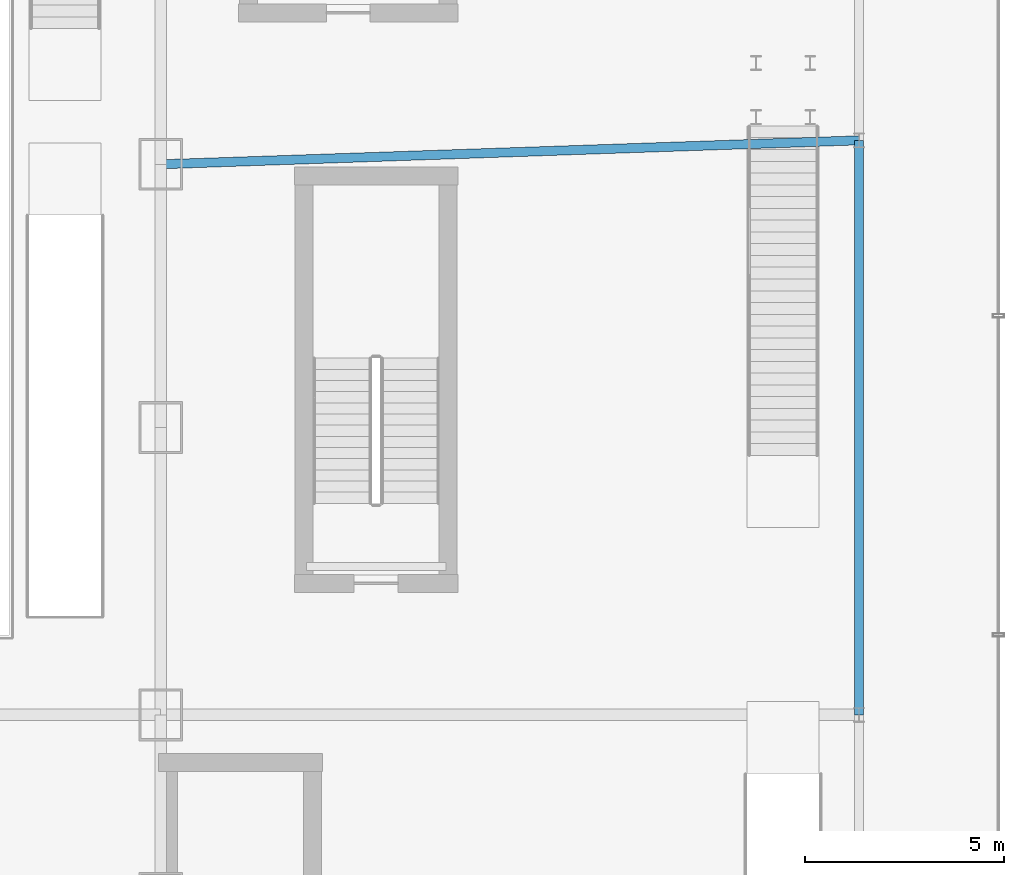
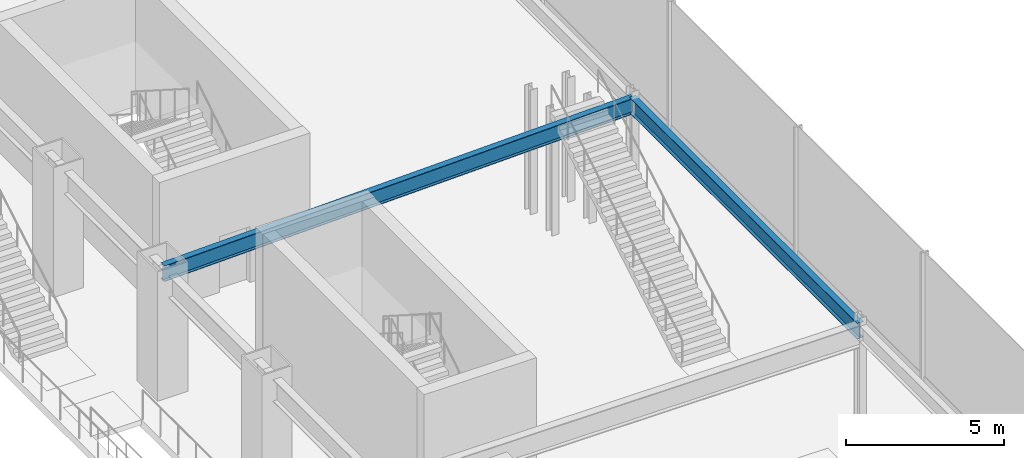
# One storey, part 22 of 40: 2 beams.
"""IFC4 building model written with IfcOpenShell, lengths in metres."""

from ifc_helpers import new_model, si_unit, derived_unit, direction, frame, origin, origin_2d, place, context, subcontext, project, spatial, i_section, extrude, source, transform, mapped, material, material_profile, profile_set, type_object, element, save


model = new_model("IFC4")

# Units and contexts
model_context = context("Model", 3, precision=1e-05, world=origin(), true_north=direction((0.0, 1.0)))
body_context = subcontext(model_context, "Body", "Model", "MODEL_VIEW")
ifc_project = project(units=[si_unit("LENGTHUNIT", "METRE"), si_unit("AREAUNIT", "SQUARE_METRE"), si_unit("VOLUMEUNIT", "CUBIC_METRE"), si_unit("PLANEANGLEUNIT", "RADIAN"), si_unit("MASSUNIT", "GRAM", prefix="KILO"), derived_unit("THERMALTRANSMITTANCEUNIT", [(si_unit("POWERUNIT", "WATT"), 1), (si_unit("LENGTHUNIT", "METRE"), -2), (si_unit("THERMODYNAMICTEMPERATUREUNIT", "KELVIN"), -1)])], contexts=[model_context])

# Site, building, storey
site_placement = place(None, origin())
site = spatial("IfcSite", under=ifc_project, at=site_placement, CompositionType="ELEMENT")
building_placement = place(site_placement, origin())
building = spatial("IfcBuilding", under=site, at=building_placement, Name="Skarnbrae Concourse Arena and Tower", CompositionType="ELEMENT")
storey_placement = place(building_placement, frame((0.0, 0.0, 6.0)))
storey = spatial("IfcBuildingStorey", under=building, at=storey_placement, Name="L01", CompositionType="ELEMENT", Elevation=6.0)

# Beams
ifc_material = material(Name="Steel CSA G40.21 350W", Category="steel")
ifc_material_profile = material_profile(ifc_material, i_section(OverallWidth=0.22802734375, OverallDepth=0.60791015625, WebThickness=0.01123046875, FlangeThickness=0.017333984375, at=origin_2d()), Name="W610X113")
ifc_profile_set = profile_set([ifc_material_profile], Name="Steel CSA G40.21 350W")
beam_type = type_object("IfcBeamType", Name="BM-GIRD-W610X113", PredefinedType="BEAM", material=ifc_profile_set)
shared_shape_1 = source(origin(), body_context, "Body", "SweptSolid", [
    extrude(i_section(OverallWidth=0.22802734375, OverallDepth=0.60791015625, WebThickness=0.01123046875, FlangeThickness=0.017333984375, at=origin_2d()), origin(), (0.0, 0.0, 1.0), 14.39990234375),
])
beam_1_placement = place(storey_placement, frame((78.5, 14.0, 4.39599609375), z_axis=(0.0, 1.0, 0.0), x_axis=(-1.0, 0.0, 0.0)))
element("IfcBeam", 1, at=beam_1_placement, inside=storey, type_object=beam_type, Name="L01 Podium outer east girder 2", PredefinedType="BEAM", context=body_context, shape_type="MappedRepresentation", body=[
    mapped(shared_shape_1, transform((0.0, 0.0, 0.0))),
])
shared_shape_2 = source(origin(), body_context, "Body", "SweptSolid", [
    extrude(i_section(OverallWidth=0.22802734375, OverallDepth=0.60791015625, WebThickness=0.01123046875, FlangeThickness=0.017333984375, at=origin_2d()), origin(), (0.0, 0.0, 1.0), 17.51025390625),
])
beam_2_placement = place(storey_placement, frame((61.0, 27.800048828125, 4.39599609375), z_axis=(0.999413049025, 0.03425722463, 0.0), x_axis=(-0.03425722463, 0.999413049025, 0.0)))
element("IfcBeam", 2, at=beam_2_placement, inside=storey, type_object=beam_type, Name="L01 East concourse tie girder", PredefinedType="BEAM", context=body_context, shape_type="MappedRepresentation", body=[
    mapped(shared_shape_2, transform((0.0, 0.0, 0.0))),
])

save(model, "model.ifc")
